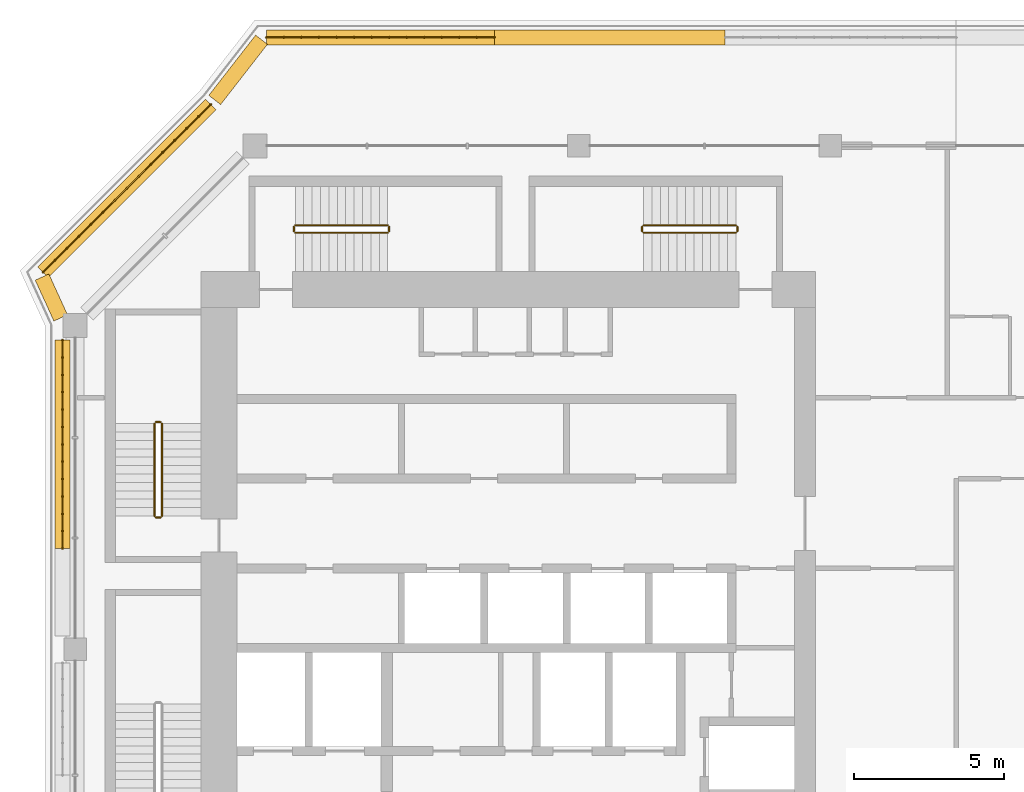
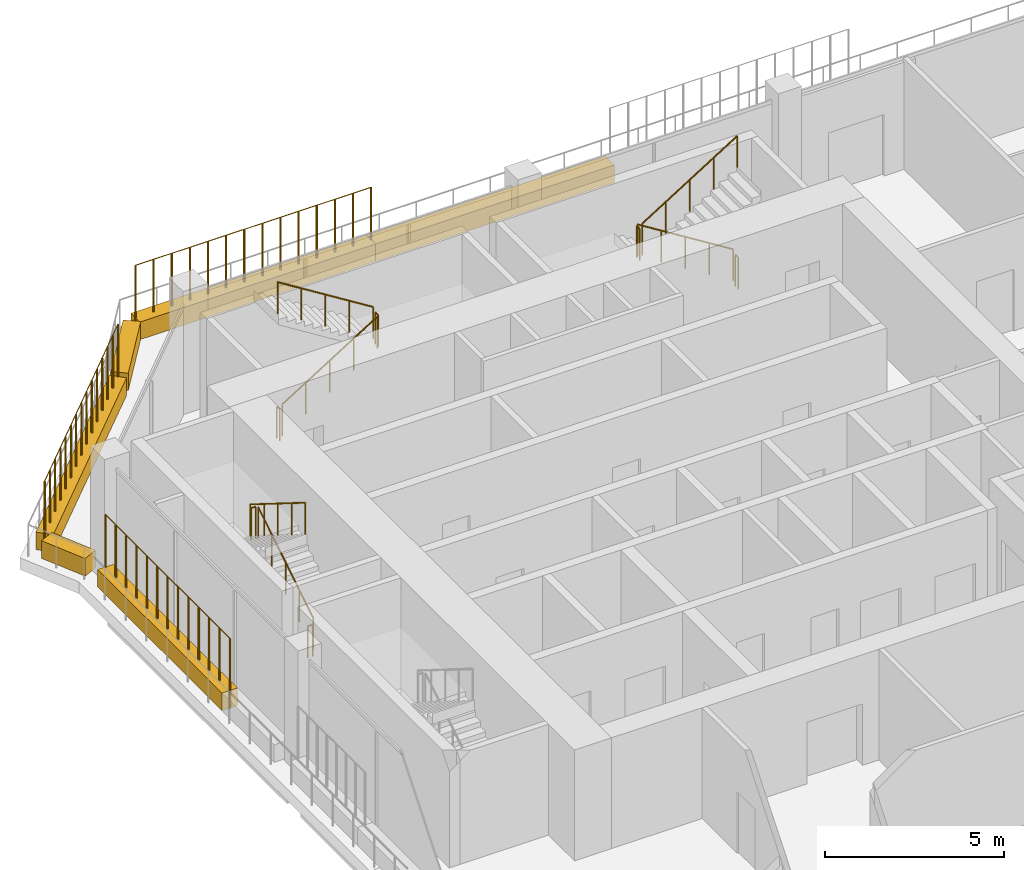
# One storey, part 18 of 20: 15 railings, 6 coverings.
"""IFC4 building model written with IfcOpenShell, lengths in metres."""

from ifc_helpers import new_model, si_unit, direction, frame, origin, origin_2d, place, context, subcontext, project, spatial, rectangle, circle, extrude, material, material_profile, profile_set, type_object, element, save


model = new_model("IFC4")

# Units and contexts
model_context = context("Model", 3, precision=1e-05, world=origin(), true_north=direction((0.0, 1.0)))
body_context = subcontext(model_context, "Body", "Model", "MODEL_VIEW")
ifc_project = project(units=[si_unit("LENGTHUNIT", "METRE"), si_unit("AREAUNIT", "SQUARE_METRE"), si_unit("VOLUMEUNIT", "CUBIC_METRE"), si_unit("PLANEANGLEUNIT", "RADIAN"), si_unit("MASSUNIT", "GRAM", prefix="KILO")], contexts=[model_context])

# Site, building, storey
site_placement = place(None, origin())
site = spatial("IfcSite", under=ifc_project, at=site_placement, CompositionType="ELEMENT")
building_placement = place(site_placement, origin())
building = spatial("IfcBuilding", under=site, at=building_placement, Name="Kawkab Arch Medical Tower", CompositionType="ELEMENT")
storey_placement = place(building_placement, frame((0.0, 0.0, 328.0)))
storey = spatial("IfcBuildingStorey", under=building, at=storey_placement, Name="L76", CompositionType="ELEMENT", Elevation=328.0)

# Coverings
ifc_material_1 = material(Name="Planting soil in a precast trough", Category="concrete")
ifc_material_profile = material_profile(ifc_material_1, rectangle(XDim=0.5, YDim=0.60009765625, at=origin_2d()), Name="Trough 500x600")
ifc_profile_set = profile_set([ifc_material_profile], Name="Planting soil in a precast trough")
covering_type = type_object("IfcCoveringType", Name="Planter trough 500 x 600", PredefinedType="USERDEFINED", material=ifc_profile_set)
covering_1_placement = place(storey_placement, frame((-0.419921875, -13.43701171875, 0.300048828125), z_axis=(0.0, 1.0, 0.0), x_axis=(-1.0, 0.0, 0.0)))
element("IfcCovering", 1, at=covering_1_placement, inside=storey, type_object=covering_type, Name="Planter L76.LOG-01-01.9", ObjectType="PLANTER", PredefinedType="USERDEFINED", context=body_context, shape_type="SweptSolid", body=[
    extrude(rectangle(XDim=0.5, YDim=0.60009765625, at=origin_2d()), origin(), (0.0, 0.0, 1.0), 6.95703125),
])
covering_2_placement = place(storey_placement, frame((-0.47998046875, -5.741943359375, 0.300048828125), z_axis=(-0.415189748133, 0.909734836667, 0.0), x_axis=(-0.909734836667, -0.415189748133, 0.0)))
element("IfcCovering", 2, at=covering_2_placement, inside=storey, type_object=covering_type, Name="Planter L76.LOG-01-01.10", ObjectType="PLANTER", PredefinedType="USERDEFINED", context=body_context, shape_type="SweptSolid", body=[
    extrude(rectangle(XDim=0.5, YDim=0.60009765625, at=origin_2d()), origin(), (0.0, 0.0, 1.0), 1.498291015625),
])
covering_3_placement = place(storey_placement, frame((-1.072998046875, -4.217041015625, 0.300048828125), z_axis=(0.707106781187, 0.707106781187, 0.0), x_axis=(-0.707106781187, 0.707106781187, 0.0)))
element("IfcCovering", 3, at=covering_3_placement, inside=storey, type_object=covering_type, Name="Planter L76.LOG-01-01.11", ObjectType="PLANTER", PredefinedType="USERDEFINED", context=body_context, shape_type="SweptSolid", body=[
    extrude(rectangle(XDim=0.5, YDim=0.60009765625, at=origin_2d()), origin(), (0.0, 0.0, 1.0), 7.919677734375),
])
covering_4_placement = place(storey_placement, frame((4.658935546875, 1.531982421875, 0.300048828125), z_axis=(0.61404021143, 0.789274742246, 0.0), x_axis=(-0.789274742246, 0.61404021143, 0.0)))
element("IfcCovering", 4, at=covering_4_placement, inside=storey, type_object=covering_type, Name="Planter L76.LOG-01-01.12", ObjectType="PLANTER", PredefinedType="USERDEFINED", context=body_context, shape_type="SweptSolid", body=[
    extrude(rectangle(XDim=0.5, YDim=0.60009765625, at=origin_2d()), origin(), (0.0, 0.0, 1.0), 2.54541015625),
])
covering_5_placement = place(storey_placement, frame((6.384033203125, 3.6201171875, 0.300048828125), z_axis=(1.0, 0.0, 0.0), x_axis=(0.0, 1.0, 0.0)))
element("IfcCovering", 5, at=covering_5_placement, inside=storey, type_object=covering_type, Name="Planter L76.LOG-01-01.13", ObjectType="PLANTER", PredefinedType="USERDEFINED", context=body_context, shape_type="SweptSolid", body=[
    extrude(rectangle(XDim=0.5, YDim=0.60009765625, at=origin_2d()), origin(), (0.0, 0.0, 1.0), 7.60498046875),
])
covering_6_placement = place(storey_placement, frame((13.989013671875, 3.6201171875, 0.300048828125), z_axis=(1.0, 0.0, 0.0), x_axis=(0.0, 1.0, 0.0)))
element("IfcCovering", 6, at=covering_6_placement, inside=storey, type_object=covering_type, Name="Planter L76.LOG-01-01.14", ObjectType="PLANTER", PredefinedType="USERDEFINED", context=body_context, shape_type="SweptSolid", body=[
    extrude(rectangle(XDim=0.5, YDim=0.60009765625, at=origin_2d()), origin(), (0.0, 0.0, 1.0), 7.7060546875),
])

# Railings
ifc_material_2 = material(Name="Bronze anodised aluminium trellis for climbing plants", Category="aluminium")
railing_type_1 = type_object("IfcRailingType", Name="Planting trellis 2400", PredefinedType="USERDEFINED", material=ifc_material_2)
railing_1_placement = place(storey_placement, frame((-0.419921875, -13.43701171875, 0.0)))
element("IfcRailing", 7, at=railing_1_placement, inside=storey, type_object=railing_type_1, Name="Planting trellis L76.LOG-01-01.9", ObjectType="TRELLIS", PredefinedType="USERDEFINED", context=body_context, shape_type="SweptSolid", body=[
    extrude(circle(Radius=0.01513671875, at=origin_2d()), frame((0.0, 0.0, 2.384765625), z_axis=(0.0, 1.0, 0.0), x_axis=(-1.0, 0.0, 0.0)), (0.0, 0.0, 1.0), 6.95703125),
    extrude(circle(Radius=0.030029296875, at=origin_2d()), origin(), (0.0, 0.0, 1.0), 2.369873046875),
    extrude(circle(Radius=0.030029296875, at=origin_2d()), frame((0.0, 0.579833984375, 0.0)), (0.0, 0.0, 1.0), 2.369873046875),
    extrude(circle(Radius=0.030029296875, at=origin_2d()), frame((0.0, 1.159423828125, 0.0)), (0.0, 0.0, 1.0), 2.369873046875),
    extrude(circle(Radius=0.030029296875, at=origin_2d()), frame((0.0, 1.7392578125, 0.0)), (0.0, 0.0, 1.0), 2.369873046875),
    extrude(circle(Radius=0.030029296875, at=origin_2d()), frame((0.0, 2.319091796875, 0.0)), (0.0, 0.0, 1.0), 2.369873046875),
    extrude(circle(Radius=0.030029296875, at=origin_2d()), frame((0.0, 2.898681640625, 0.0)), (0.0, 0.0, 1.0), 2.369873046875),
    extrude(circle(Radius=0.030029296875, at=origin_2d()), frame((0.0, 3.478515625, 0.0)), (0.0, 0.0, 1.0), 2.369873046875),
    extrude(circle(Radius=0.030029296875, at=origin_2d()), frame((0.0, 4.058349609375, 0.0)), (0.0, 0.0, 1.0), 2.369873046875),
    extrude(circle(Radius=0.030029296875, at=origin_2d()), frame((0.0, 4.637939453125, 0.0)), (0.0, 0.0, 1.0), 2.369873046875),
    extrude(circle(Radius=0.030029296875, at=origin_2d()), frame((0.0, 5.2177734375, 0.0)), (0.0, 0.0, 1.0), 2.369873046875),
    extrude(circle(Radius=0.030029296875, at=origin_2d()), frame((0.0, 5.797607421875, 0.0)), (0.0, 0.0, 1.0), 2.369873046875),
    extrude(circle(Radius=0.030029296875, at=origin_2d()), frame((0.0, 6.377197265625, 0.0)), (0.0, 0.0, 1.0), 2.369873046875),
    extrude(circle(Radius=0.030029296875, at=origin_2d()), frame((0.0, 6.95703125, 0.0)), (0.0, 0.0, 1.0), 2.369873046875),
])
railing_2_placement = place(storey_placement, frame((-1.072998046875, -4.217041015625, 0.0)))
element("IfcRailing", 8, at=railing_2_placement, inside=storey, type_object=railing_type_1, Name="Planting trellis L76.LOG-01-01.11", ObjectType="TRELLIS", PredefinedType="USERDEFINED", context=body_context, shape_type="SweptSolid", body=[
    extrude(circle(Radius=0.01513671875, at=origin_2d()), frame((0.0, 0.0, 2.384765625), z_axis=(0.707106781187, 0.707106781187, 0.0), x_axis=(-0.707106781187, 0.707106781187, 0.0)), (0.0, 0.0, 1.0), 7.919677734375),
    extrude(circle(Radius=0.030029296875, at=origin_2d()), origin(), (0.0, 0.0, 1.0), 2.369873046875),
    extrude(circle(Radius=0.030029296875, at=origin_2d()), frame((0.39990234375, 0.39990234375, 0.0)), (0.0, 0.0, 1.0), 2.369873046875),
    extrude(circle(Radius=0.030029296875, at=origin_2d()), frame((0.800048828125, 0.800048828125, 0.0)), (0.0, 0.0, 1.0), 2.369873046875),
    extrude(circle(Radius=0.030029296875, at=origin_2d()), frame((1.199951171875, 1.199951171875, 0.0)), (0.0, 0.0, 1.0), 2.369873046875),
    extrude(circle(Radius=0.030029296875, at=origin_2d()), frame((1.60009765625, 1.60009765625, 0.0)), (0.0, 0.0, 1.0), 2.369873046875),
    extrude(circle(Radius=0.030029296875, at=origin_2d()), frame((2.0, 2.0, 0.0)), (0.0, 0.0, 1.0), 2.369873046875),
    extrude(circle(Radius=0.030029296875, at=origin_2d()), frame((2.400146484375, 2.400146484375, 0.0)), (0.0, 0.0, 1.0), 2.369873046875),
    extrude(circle(Radius=0.030029296875, at=origin_2d()), frame((2.800048828125, 2.800048828125, 0.0)), (0.0, 0.0, 1.0), 2.369873046875),
    extrude(circle(Radius=0.030029296875, at=origin_2d()), frame((3.199951171875, 3.199951171875, 0.0)), (0.0, 0.0, 1.0), 2.369873046875),
    extrude(circle(Radius=0.030029296875, at=origin_2d()), frame((3.60009765625, 3.60009765625, 0.0)), (0.0, 0.0, 1.0), 2.369873046875),
    extrude(circle(Radius=0.030029296875, at=origin_2d()), frame((4.0, 4.0, 0.0)), (0.0, 0.0, 1.0), 2.369873046875),
    extrude(circle(Radius=0.030029296875, at=origin_2d()), frame((4.400146484375, 4.400146484375, 0.0)), (0.0, 0.0, 1.0), 2.369873046875),
    extrude(circle(Radius=0.030029296875, at=origin_2d()), frame((4.800048828125, 4.800048828125, 0.0)), (0.0, 0.0, 1.0), 2.369873046875),
    extrude(circle(Radius=0.030029296875, at=origin_2d()), frame((5.2001953125, 5.2001953125, 0.0)), (0.0, 0.0, 1.0), 2.369873046875),
    extrude(circle(Radius=0.030029296875, at=origin_2d()), frame((5.60009765625, 5.60009765625, 0.0)), (0.0, 0.0, 1.0), 2.369873046875),
])
railing_3_placement = place(storey_placement, frame((6.384033203125, 3.6201171875, 0.0)))
element("IfcRailing", 9, at=railing_3_placement, inside=storey, type_object=railing_type_1, Name="Planting trellis L76.LOG-01-01.13", ObjectType="TRELLIS", PredefinedType="USERDEFINED", context=body_context, shape_type="SweptSolid", body=[
    extrude(circle(Radius=0.01513671875, at=origin_2d()), frame((0.0, 0.0, 2.384765625), z_axis=(1.0, 0.0, 0.0), x_axis=(0.0, 1.0, 0.0)), (0.0, 0.0, 1.0), 7.60498046875),
    extrude(circle(Radius=0.030029296875, at=origin_2d()), origin(), (0.0, 0.0, 1.0), 2.369873046875),
    extrude(circle(Radius=0.030029296875, at=origin_2d()), frame((0.5849609375, 0.0, 0.0)), (0.0, 0.0, 1.0), 2.369873046875),
    extrude(circle(Radius=0.030029296875, at=origin_2d()), frame((1.169921875, 0.0, 0.0)), (0.0, 0.0, 1.0), 2.369873046875),
    extrude(circle(Radius=0.030029296875, at=origin_2d()), frame((1.7548828125, 0.0, 0.0)), (0.0, 0.0, 1.0), 2.369873046875),
    extrude(circle(Radius=0.030029296875, at=origin_2d()), frame((2.340087890625, 0.0, 0.0)), (0.0, 0.0, 1.0), 2.369873046875),
    extrude(circle(Radius=0.030029296875, at=origin_2d()), frame((2.925048828125, 0.0, 0.0)), (0.0, 0.0, 1.0), 2.369873046875),
    extrude(circle(Radius=0.030029296875, at=origin_2d()), frame((3.510009765625, 0.0, 0.0)), (0.0, 0.0, 1.0), 2.369873046875),
    extrude(circle(Radius=0.030029296875, at=origin_2d()), frame((4.094970703125, 0.0, 0.0)), (0.0, 0.0, 1.0), 2.369873046875),
    extrude(circle(Radius=0.030029296875, at=origin_2d()), frame((4.679931640625, 0.0, 0.0)), (0.0, 0.0, 1.0), 2.369873046875),
    extrude(circle(Radius=0.030029296875, at=origin_2d()), frame((5.264892578125, 0.0, 0.0)), (0.0, 0.0, 1.0), 2.369873046875),
    extrude(circle(Radius=0.030029296875, at=origin_2d()), frame((5.85009765625, 0.0, 0.0)), (0.0, 0.0, 1.0), 2.369873046875),
    extrude(circle(Radius=0.030029296875, at=origin_2d()), frame((6.43505859375, 0.0, 0.0)), (0.0, 0.0, 1.0), 2.369873046875),
    extrude(circle(Radius=0.030029296875, at=origin_2d()), frame((7.02001953125, 0.0, 0.0)), (0.0, 0.0, 1.0), 2.369873046875),
    extrude(circle(Radius=0.030029296875, at=origin_2d()), frame((7.60498046875, 0.0, 0.0)), (0.0, 0.0, 1.0), 2.369873046875),
])
ifc_material_3 = material(Name="Stainless steel", Category="steel")
railing_type_2 = type_object("IfcRailingType", Name="Stair guard 1100", PredefinedType="GUARDRAIL", material=ifc_material_3)
railing_4_placement = place(storey_placement, frame((2.89990234375, -12.35009765625, 0.175048828125)))
element("IfcRailing", 10, at=railing_4_placement, inside=storey, type_object=railing_type_2, Name="L76 ST1 stair guard 1", PredefinedType="GUARDRAIL", context=body_context, shape_type="SweptSolid", body=[
    extrude(circle(Radius=0.02392578125, at=origin_2d()), frame((0.0, 0.0, 1.076171875), z_axis=(0.0, 0.847998304005, 0.529998940003), x_axis=(-1.0, 0.0, 0.0)), (0.0, 0.0, 1.0), 3.632080078125),
    extrude(circle(Radius=0.02099609375, at=origin_2d()), origin(), (0.0, 0.0, 1.0), 1.052001953125),
    extrude(circle(Radius=0.02099609375, at=origin_2d()), frame((0.0, 0.77001953125, 0.481201171875)), (0.0, 0.0, 1.0), 1.052001953125),
    extrude(circle(Radius=0.02099609375, at=origin_2d()), frame((0.0, 1.5400390625, 0.96240234375)), (0.0, 0.0, 1.0), 1.052001953125),
    extrude(circle(Radius=0.02099609375, at=origin_2d()), frame((0.0, 2.31005859375, 1.44384765625)), (0.0, 0.0, 1.0), 1.052001953125),
    extrude(circle(Radius=0.02099609375, at=origin_2d()), frame((0.0, 3.080078125, 1.925048828125)), (0.0, 0.0, 1.0), 1.052001953125),
])
railing_5_placement = place(storey_placement, frame((2.85009765625, -9.219970703125, 2.10009765625)))
element("IfcRailing", 11, at=railing_5_placement, inside=storey, type_object=railing_type_2, Name="L76 ST1 stair guard 2", PredefinedType="GUARDRAIL", context=body_context, shape_type="SweptSolid", body=[
    extrude(circle(Radius=0.02392578125, at=origin_2d()), frame((0.0, 0.0, 1.076171875), z_axis=(-1.0, 0.0, 0.0), x_axis=(0.0, -1.0, 0.0)), (0.0, 0.0, 1.0), 0.150146484375),
    extrude(circle(Radius=0.02099609375, at=origin_2d()), origin(), (0.0, 0.0, 1.0), 1.052001953125),
    extrude(circle(Radius=0.02099609375, at=origin_2d()), frame((-0.150146484375, 0.0, 0.0)), (0.0, 0.0, 1.0), 1.052001953125),
])
railing_6_placement = place(storey_placement, frame((2.64990234375, -9.27001953125, 2.27490234375)))
element("IfcRailing", 12, at=railing_6_placement, inside=storey, type_object=railing_type_2, Name="L76 ST1 stair guard 3", PredefinedType="GUARDRAIL", context=body_context, shape_type="SweptSolid", body=[
    extrude(circle(Radius=0.02392578125, at=origin_2d()), frame((0.0, 0.0, 1.076171875), z_axis=(0.0, -0.847998304005, 0.529998940003), x_axis=(1.0, 0.0, 0.0)), (0.0, 0.0, 1.0), 3.632080078125),
    extrude(circle(Radius=0.02099609375, at=origin_2d()), origin(), (0.0, 0.0, 1.0), 1.052001953125),
    extrude(circle(Radius=0.02099609375, at=origin_2d()), frame((0.0, -0.77001953125, 0.481201171875)), (0.0, 0.0, 1.0), 1.052001953125),
    extrude(circle(Radius=0.02099609375, at=origin_2d()), frame((0.0, -1.5400390625, 0.96240234375)), (0.0, 0.0, 1.0), 1.052001953125),
    extrude(circle(Radius=0.02099609375, at=origin_2d()), frame((0.0, -2.31005859375, 1.44384765625)), (0.0, 0.0, 1.0), 1.052001953125),
    extrude(circle(Radius=0.02099609375, at=origin_2d()), frame((0.0, -3.080078125, 1.925048828125)), (0.0, 0.0, 1.0), 1.052001953125),
])
railing_7_placement = place(storey_placement, frame((2.85009765625, -12.39990234375, 0.0)))
element("IfcRailing", 13, at=railing_7_placement, inside=storey, type_object=railing_type_2, Name="L76 ST1 stair guard 4", PredefinedType="GUARDRAIL", context=body_context, shape_type="SweptSolid", body=[
    extrude(circle(Radius=0.02392578125, at=origin_2d()), frame((0.0, 0.0, 1.076171875), z_axis=(-1.0, 0.0, 0.0), x_axis=(0.0, -1.0, 0.0)), (0.0, 0.0, 1.0), 0.150146484375),
    extrude(circle(Radius=0.02099609375, at=origin_2d()), origin(), (0.0, 0.0, 1.0), 1.052001953125),
    extrude(circle(Radius=0.02099609375, at=origin_2d()), frame((-0.150146484375, 0.0, 0.0)), (0.0, 0.0, 1.0), 1.052001953125),
])
railing_8_placement = place(storey_placement, frame((7.35009765625, -2.89990234375, 0.175048828125)))
element("IfcRailing", 14, at=railing_8_placement, inside=storey, type_object=railing_type_2, Name="L76 ST3 stair guard 1", PredefinedType="GUARDRAIL", context=body_context, shape_type="SweptSolid", body=[
    extrude(circle(Radius=0.02392578125, at=origin_2d()), frame((0.0, 0.0, 1.076171875), z_axis=(0.847979421464, 0.0, 0.530029150871), x_axis=(0.0, 1.0, 0.0)), (0.0, 0.0, 1.0), 3.632080078125),
    extrude(circle(Radius=0.02099609375, at=origin_2d()), origin(), (0.0, 0.0, 1.0), 1.052001953125),
    extrude(circle(Radius=0.02099609375, at=origin_2d()), frame((0.77001953125, 0.0, 0.481201171875)), (0.0, 0.0, 1.0), 1.052001953125),
    extrude(circle(Radius=0.02099609375, at=origin_2d()), frame((1.5400390625, 0.0, 0.96240234375)), (0.0, 0.0, 1.0), 1.052001953125),
    extrude(circle(Radius=0.02099609375, at=origin_2d()), frame((2.309814453125, 0.0, 1.44384765625)), (0.0, 0.0, 1.0), 1.052001953125),
    extrude(circle(Radius=0.02099609375, at=origin_2d()), frame((3.079833984375, 0.0, 1.925048828125)), (0.0, 0.0, 1.0), 1.052001953125),
])
railing_9_placement = place(storey_placement, frame((10.47998046875, -2.85009765625, 2.10009765625)))
element("IfcRailing", 15, at=railing_9_placement, inside=storey, type_object=railing_type_2, Name="L76 ST3 stair guard 2", PredefinedType="GUARDRAIL", context=body_context, shape_type="SweptSolid", body=[
    extrude(circle(Radius=0.02392578125, at=origin_2d()), frame((0.0, 0.0, 1.076171875), z_axis=(0.0, 1.0, 0.0), x_axis=(-1.0, 0.0, 0.0)), (0.0, 0.0, 1.0), 0.150146484375),
    extrude(circle(Radius=0.02099609375, at=origin_2d()), origin(), (0.0, 0.0, 1.0), 1.052001953125),
    extrude(circle(Radius=0.02099609375, at=origin_2d()), frame((0.0, 0.150146484375, 0.0)), (0.0, 0.0, 1.0), 1.052001953125),
])
railing_10_placement = place(storey_placement, frame((10.429931640625, -2.64990234375, 2.27490234375)))
element("IfcRailing", 16, at=railing_10_placement, inside=storey, type_object=railing_type_2, Name="L76 ST3 stair guard 3", PredefinedType="GUARDRAIL", context=body_context, shape_type="SweptSolid", body=[
    extrude(circle(Radius=0.02392578125, at=origin_2d()), frame((0.0, 0.0, 1.076171875), z_axis=(-0.847979421464, 0.0, 0.530029150871), x_axis=(0.0, -1.0, 0.0)), (0.0, 0.0, 1.0), 3.632080078125),
    extrude(circle(Radius=0.02099609375, at=origin_2d()), origin(), (0.0, 0.0, 1.0), 1.052001953125),
    extrude(circle(Radius=0.02099609375, at=origin_2d()), frame((-0.77001953125, 0.0, 0.481201171875)), (0.0, 0.0, 1.0), 1.052001953125),
    extrude(circle(Radius=0.02099609375, at=origin_2d()), frame((-1.5400390625, 0.0, 0.96240234375)), (0.0, 0.0, 1.0), 1.052001953125),
    extrude(circle(Radius=0.02099609375, at=origin_2d()), frame((-2.309814453125, 0.0, 1.44384765625)), (0.0, 0.0, 1.0), 1.052001953125),
    extrude(circle(Radius=0.02099609375, at=origin_2d()), frame((-3.079833984375, 0.0, 1.925048828125)), (0.0, 0.0, 1.0), 1.052001953125),
])
railing_11_placement = place(storey_placement, frame((7.300048828125, -2.85009765625, 0.0)))
element("IfcRailing", 17, at=railing_11_placement, inside=storey, type_object=railing_type_2, Name="L76 ST3 stair guard 4", PredefinedType="GUARDRAIL", context=body_context, shape_type="SweptSolid", body=[
    extrude(circle(Radius=0.02392578125, at=origin_2d()), frame((0.0, 0.0, 1.076171875), z_axis=(0.0, 1.0, 0.0), x_axis=(-1.0, 0.0, 0.0)), (0.0, 0.0, 1.0), 0.150146484375),
    extrude(circle(Radius=0.02099609375, at=origin_2d()), origin(), (0.0, 0.0, 1.0), 1.052001953125),
    extrude(circle(Radius=0.02099609375, at=origin_2d()), frame((0.0, 0.150146484375, 0.0)), (0.0, 0.0, 1.0), 1.052001953125),
])
railing_12_placement = place(storey_placement, frame((22.050048828125, -2.64990234375, 0.175048828125)))
element("IfcRailing", 18, at=railing_12_placement, inside=storey, type_object=railing_type_2, Name="L76 ST4 stair guard 1", PredefinedType="GUARDRAIL", context=body_context, shape_type="SweptSolid", body=[
    extrude(circle(Radius=0.02392578125, at=origin_2d()), frame((0.0, 0.0, 1.076171875), z_axis=(-0.847998304005, 0.0, 0.529998940003), x_axis=(0.0, -1.0, 0.0)), (0.0, 0.0, 1.0), 3.632080078125),
    extrude(circle(Radius=0.02099609375, at=origin_2d()), origin(), (0.0, 0.0, 1.0), 1.052001953125),
    extrude(circle(Radius=0.02099609375, at=origin_2d()), frame((-0.77001953125, 0.0, 0.481201171875)), (0.0, 0.0, 1.0), 1.052001953125),
    extrude(circle(Radius=0.02099609375, at=origin_2d()), frame((-1.5400390625, 0.0, 0.96240234375)), (0.0, 0.0, 1.0), 1.052001953125),
    extrude(circle(Radius=0.02099609375, at=origin_2d()), frame((-2.31005859375, 0.0, 1.44384765625)), (0.0, 0.0, 1.0), 1.052001953125),
    extrude(circle(Radius=0.02099609375, at=origin_2d()), frame((-3.080078125, 0.0, 1.925048828125)), (0.0, 0.0, 1.0), 1.052001953125),
])
railing_13_placement = place(storey_placement, frame((18.919921875, -2.699951171875, 2.10009765625)))
element("IfcRailing", 19, at=railing_13_placement, inside=storey, type_object=railing_type_2, Name="L76 ST4 stair guard 2", PredefinedType="GUARDRAIL", context=body_context, shape_type="SweptSolid", body=[
    extrude(circle(Radius=0.02392578125, at=origin_2d()), frame((0.0, 0.0, 1.076171875), z_axis=(0.0, -1.0, 0.0), x_axis=(1.0, 0.0, 0.0)), (0.0, 0.0, 1.0), 0.150146484375),
    extrude(circle(Radius=0.02099609375, at=origin_2d()), origin(), (0.0, 0.0, 1.0), 1.052001953125),
    extrude(circle(Radius=0.02099609375, at=origin_2d()), frame((0.0, -0.150146484375, 0.0)), (0.0, 0.0, 1.0), 1.052001953125),
])
railing_14_placement = place(storey_placement, frame((18.969970703125, -2.89990234375, 2.27490234375)))
element("IfcRailing", 20, at=railing_14_placement, inside=storey, type_object=railing_type_2, Name="L76 ST4 stair guard 3", PredefinedType="GUARDRAIL", context=body_context, shape_type="SweptSolid", body=[
    extrude(circle(Radius=0.02392578125, at=origin_2d()), frame((0.0, 0.0, 1.076171875), z_axis=(0.847998304005, 0.0, 0.529998940003), x_axis=(0.0, 1.0, 0.0)), (0.0, 0.0, 1.0), 3.632080078125),
    extrude(circle(Radius=0.02099609375, at=origin_2d()), origin(), (0.0, 0.0, 1.0), 1.052001953125),
    extrude(circle(Radius=0.02099609375, at=origin_2d()), frame((0.77001953125, 0.0, 0.481201171875)), (0.0, 0.0, 1.0), 1.052001953125),
    extrude(circle(Radius=0.02099609375, at=origin_2d()), frame((1.5400390625, 0.0, 0.96240234375)), (0.0, 0.0, 1.0), 1.052001953125),
    extrude(circle(Radius=0.02099609375, at=origin_2d()), frame((2.31005859375, 0.0, 1.44384765625)), (0.0, 0.0, 1.0), 1.052001953125),
    extrude(circle(Radius=0.02099609375, at=origin_2d()), frame((3.080078125, 0.0, 1.925048828125)), (0.0, 0.0, 1.0), 1.052001953125),
])
railing_15_placement = place(storey_placement, frame((22.10009765625, -2.699951171875, 0.0)))
element("IfcRailing", 21, at=railing_15_placement, inside=storey, type_object=railing_type_2, Name="L76 ST4 stair guard 4", PredefinedType="GUARDRAIL", context=body_context, shape_type="SweptSolid", body=[
    extrude(circle(Radius=0.02392578125, at=origin_2d()), frame((0.0, 0.0, 1.076171875), z_axis=(0.0, -1.0, 0.0), x_axis=(1.0, 0.0, 0.0)), (0.0, 0.0, 1.0), 0.150146484375),
    extrude(circle(Radius=0.02099609375, at=origin_2d()), origin(), (0.0, 0.0, 1.0), 1.052001953125),
    extrude(circle(Radius=0.02099609375, at=origin_2d()), frame((0.0, -0.150146484375, 0.0)), (0.0, 0.0, 1.0), 1.052001953125),
])

save(model, "model.ifc")
